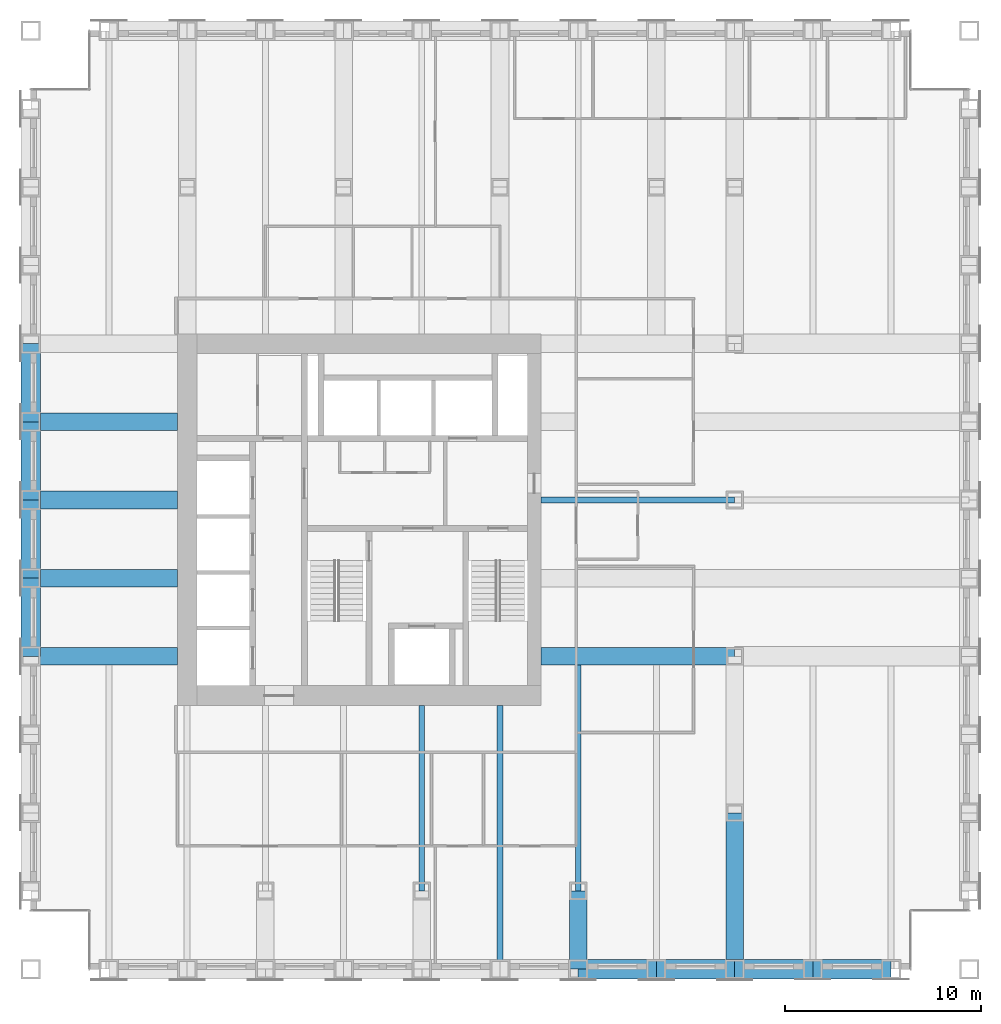
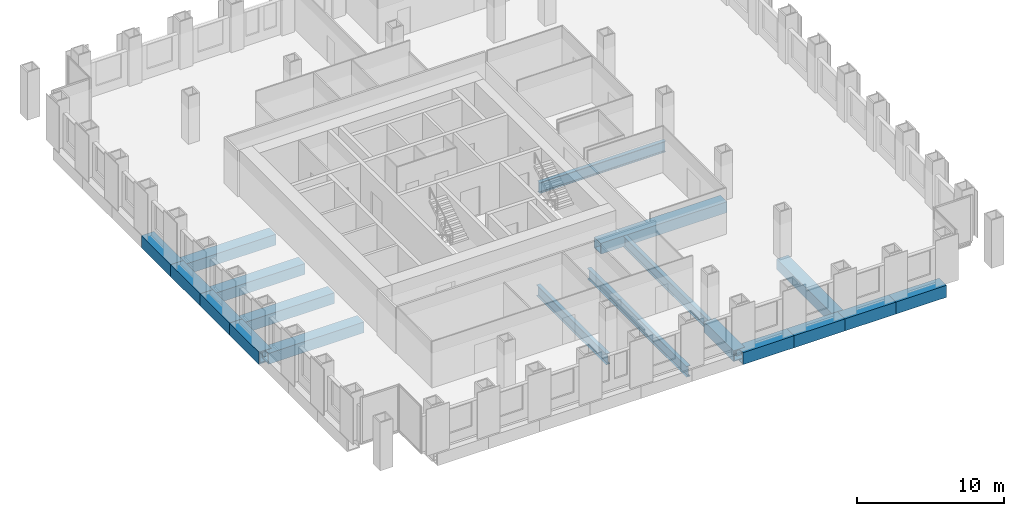
# One storey, part 3 of 15: 19 beams.
"""IFC4 building model written with IfcOpenShell, lengths in metres."""

from ifc_helpers import new_model, si_unit, direction, frame, origin, origin_2d, place, context, subcontext, project, spatial, hollow_rectangle, i_section, extrude, material, material_profile, profile_set, type_object, element, save


model = new_model("IFC4")

# Units and contexts
model_context = context("Model", 3, precision=1e-05, world=origin(), true_north=direction((0.0, 1.0)))
body_context = subcontext(model_context, "Body", "Model", "MODEL_VIEW")
ifc_project = project(units=[si_unit("LENGTHUNIT", "METRE"), si_unit("AREAUNIT", "SQUARE_METRE"), si_unit("VOLUMEUNIT", "CUBIC_METRE"), si_unit("PLANEANGLEUNIT", "RADIAN"), si_unit("MASSUNIT", "GRAM", prefix="KILO")], contexts=[model_context])

# Site, building, storey
site_placement = place(None, origin())
site = spatial("IfcSite", under=ifc_project, at=site_placement, CompositionType="ELEMENT")
building_placement = place(site_placement, origin())
building = spatial("IfcBuilding", under=site, at=building_placement, Name="Rimbunsela Tower", CompositionType="ELEMENT")
storey_placement = place(building_placement, frame((0.0, 0.0, 113.39990234375)))
storey = spatial("IfcBuildingStorey", under=building, at=storey_placement, Name="L27", CompositionType="ELEMENT", Elevation=113.39990234375)

# Beams
ifc_material_1 = material(Name="Steel BJ 55 (fy 410 MPa)", Category="steel")
ifc_material_profile_1 = material_profile(ifc_material_1, hollow_rectangle(XDim=1.0, YDim=1.0, WallThickness=0.10009765625, at=origin_2d()), Name="BOX 1000x1000x100")
ifc_profile_set_1 = profile_set([ifc_material_profile_1], Name="Steel BJ 55 (fy 410 MPa)")
beam_type_1 = type_object("IfcBeamType", Name="Beam BOX 1000x1000x100", PredefinedType="BEAM", material=ifc_profile_set_1)
for number, where, z_axis, x_axis, name in (
    (1, (10.0, 20.0, -0.64990234375), (0.0, 1.0, 0.0), (-1.0, 0.0, 0.0), "Beam B3 L27"),
    (2, (10.0, 24.0, -0.64990234375), (0.0, 1.0, 0.0), (-1.0, 0.0, 0.0), "Beam B3 L27"),
    (3, (10.0, 28.0, -0.64990234375), (0.0, 1.0, 0.0), (-1.0, 0.0, 0.0), "Beam B3 L27"),
    (4, (10.0, 32.0, -0.64990234375), (0.0, 1.0, 0.0), (-1.0, 0.0, 0.0), "Beam B3 L27"),
    (5, (38.0, 4.0, -0.64990234375), (1.0, 0.0, 0.0), (0.0, 1.0, 0.0), "Beam B3 L27"),
    (6, (42.0, 4.0, -0.64990234375), (1.0, 0.0, 0.0), (0.0, 1.0, 0.0), "Beam B3 L27"),
    (7, (46.0, 4.0, -0.64990234375), (1.0, 0.0, 0.0), (0.0, 1.0, 0.0), "Beam B3 L27"),
    (8, (50.0, 4.0, -0.64990234375), (1.0, 0.0, 0.0), (0.0, 1.0, 0.0), "Beam B3 L27"),
):
    element("IfcBeam", number, at=place(storey_placement, frame(where, z_axis=z_axis, x_axis=x_axis)), inside=storey, type_object=beam_type_1, Name=name, PredefinedType="BEAM", context=body_context, shape_type="SweptSolid", body=[
        extrude(hollow_rectangle(XDim=1.0, YDim=1.0, WallThickness=0.10009765625, at=origin_2d()), origin(), (0.0, 0.0, 1.0), 4.0),
    ])
ifc_material_2 = material(Name="Steel BJ 55 (fy 410 MPa)", Category="steel")
ifc_material_profile_2 = material_profile(ifc_material_2, hollow_rectangle(XDim=0.89990234375, YDim=0.89990234375, WallThickness=0.06005859375, at=origin_2d()), Name="BOX 900x900x60")
ifc_profile_set_2 = profile_set([ifc_material_profile_2], Name="Steel BJ 55 (fy 410 MPa)")
beam_type_2 = type_object("IfcBeamType", Name="Beam BOX 900x900x60", PredefinedType="BEAM", material=ifc_profile_set_2)
for number, where, z_axis, x_axis, name in (
    (9, (10.0, 20.0, -0.599853515625), (1.0, 0.0, 0.0), (0.0, 1.0, 0.0), "Beam B1 L27"),
    (10, (10.0, 24.0, -0.599853515625), (1.0, 0.0, 0.0), (0.0, 1.0, 0.0), "Beam B1 L27"),
    (11, (10.0, 28.0, -0.599853515625), (1.0, 0.0, 0.0), (0.0, 1.0, 0.0), "Beam B1 L27"),
    (12, (10.0, 32.0, -0.599853515625), (1.0, 0.0, 0.0), (0.0, 1.0, 0.0), "Beam B1 L27"),
):
    element("IfcBeam", number, at=place(storey_placement, frame(where, z_axis=z_axis, x_axis=x_axis)), inside=storey, type_object=beam_type_2, Name=name, PredefinedType="BEAM", context=body_context, shape_type="SweptSolid", body=[
        extrude(hollow_rectangle(XDim=0.89990234375, YDim=0.89990234375, WallThickness=0.06005859375, at=origin_2d()), origin(), (0.0, 0.0, 1.0), 7.5),
    ])
beam_1_placement = place(storey_placement, frame((36.10009765625, 20.0, -0.599853515625), z_axis=(1.0, 0.0, 0.0), x_axis=(0.0, 1.0, 0.0)))
element("IfcBeam", 13, at=beam_1_placement, inside=storey, type_object=beam_type_2, Name="Beam B1 L27", PredefinedType="BEAM", context=body_context, shape_type="SweptSolid", body=[
    extrude(hollow_rectangle(XDim=0.89990234375, YDim=0.89990234375, WallThickness=0.06005859375, at=origin_2d()), origin(), (0.0, 0.0, 1.0), 9.89990234375),
])
beam_2_placement = place(storey_placement, frame((38.0, 4.0, -0.599853515625), z_axis=(0.0, 1.0, 0.0), x_axis=(-1.0, 0.0, 0.0)))
element("IfcBeam", 14, at=beam_2_placement, inside=storey, type_object=beam_type_2, Name="Beam B1 L27", PredefinedType="BEAM", context=body_context, shape_type="SweptSolid", body=[
    extrude(hollow_rectangle(XDim=0.89990234375, YDim=0.89990234375, WallThickness=0.06005859375, at=origin_2d()), origin(), (0.0, 0.0, 1.0), 4.0),
])
beam_3_placement = place(storey_placement, frame((46.0, 4.0, -0.599853515625), z_axis=(0.0, 1.0, 0.0), x_axis=(-1.0, 0.0, 0.0)))
element("IfcBeam", 15, at=beam_3_placement, inside=storey, type_object=beam_type_2, Name="Beam B1 L27", PredefinedType="BEAM", context=body_context, shape_type="SweptSolid", body=[
    extrude(hollow_rectangle(XDim=0.89990234375, YDim=0.89990234375, WallThickness=0.06005859375, at=origin_2d()), origin(), (0.0, 0.0, 1.0), 8.0),
])
ifc_material_3 = material(Name="Steel BJ 55 (fy 410 MPa)", Category="steel")
ifc_material_profile_3 = material_profile(ifc_material_3, i_section(OverallWidth=0.300048828125, OverallDepth=0.89990234375, WebThickness=0.01611328125, FlangeThickness=0.028076171875, FilletRadius=0.028076171875, at=origin_2d()), Name="H 900x300x16x28")
ifc_profile_set_3 = profile_set([ifc_material_profile_3], Name="Steel BJ 55 (fy 410 MPa)")
beam_type_3 = type_object("IfcBeamType", Name="Beam H 900x300x16x28", PredefinedType="BEAM", material=ifc_profile_set_3)
beam_4_placement = place(storey_placement, frame((30.0, 8.0, -0.599853515625), z_axis=(0.0, 1.0, 0.0), x_axis=(-1.0, 0.0, 0.0)))
element("IfcBeam", 16, at=beam_4_placement, inside=storey, type_object=beam_type_3, Name="Beam B2 L27", PredefinedType="BEAM", context=body_context, shape_type="SweptSolid", body=[
    extrude(i_section(OverallWidth=0.300048828125, OverallDepth=0.89990234375, WebThickness=0.01611328125, FlangeThickness=0.028076171875, FilletRadius=0.028076171875, at=origin_2d()), origin(), (0.0, 0.0, 1.0), 9.5),
])
beam_5_placement = place(storey_placement, frame((34.0, 4.0, -0.599853515625), z_axis=(0.0, 1.0, 0.0), x_axis=(-1.0, 0.0, 0.0)))
element("IfcBeam", 17, at=beam_5_placement, inside=storey, type_object=beam_type_3, Name="Beam B2 L27", PredefinedType="BEAM", context=body_context, shape_type="SweptSolid", body=[
    extrude(i_section(OverallWidth=0.300048828125, OverallDepth=0.89990234375, WebThickness=0.01611328125, FlangeThickness=0.028076171875, FilletRadius=0.028076171875, at=origin_2d()), origin(), (0.0, 0.0, 1.0), 13.5),
])
beam_6_placement = place(storey_placement, frame((36.10009765625, 28.0, -0.599853515625), z_axis=(1.0, 0.0, 0.0), x_axis=(0.0, 1.0, 0.0)))
element("IfcBeam", 18, at=beam_6_placement, inside=storey, type_object=beam_type_3, Name="Beam B2 L27", PredefinedType="BEAM", context=body_context, shape_type="SweptSolid", body=[
    extrude(i_section(OverallWidth=0.300048828125, OverallDepth=0.89990234375, WebThickness=0.01611328125, FlangeThickness=0.028076171875, FilletRadius=0.028076171875, at=origin_2d()), origin(), (0.0, 0.0, 1.0), 9.89990234375),
])
beam_7_placement = place(storey_placement, frame((38.0, 8.0, -0.599853515625), z_axis=(0.0, 1.0, 0.0), x_axis=(-1.0, 0.0, 0.0)))
element("IfcBeam", 19, at=beam_7_placement, inside=storey, type_object=beam_type_3, Name="Beam B2 L27", PredefinedType="BEAM", context=body_context, shape_type="SweptSolid", body=[
    extrude(i_section(OverallWidth=0.300048828125, OverallDepth=0.89990234375, WebThickness=0.01611328125, FlangeThickness=0.028076171875, FilletRadius=0.028076171875, at=origin_2d()), origin(), (0.0, 0.0, 1.0), 11.550048828125),
])

save(model, "model.ifc")
